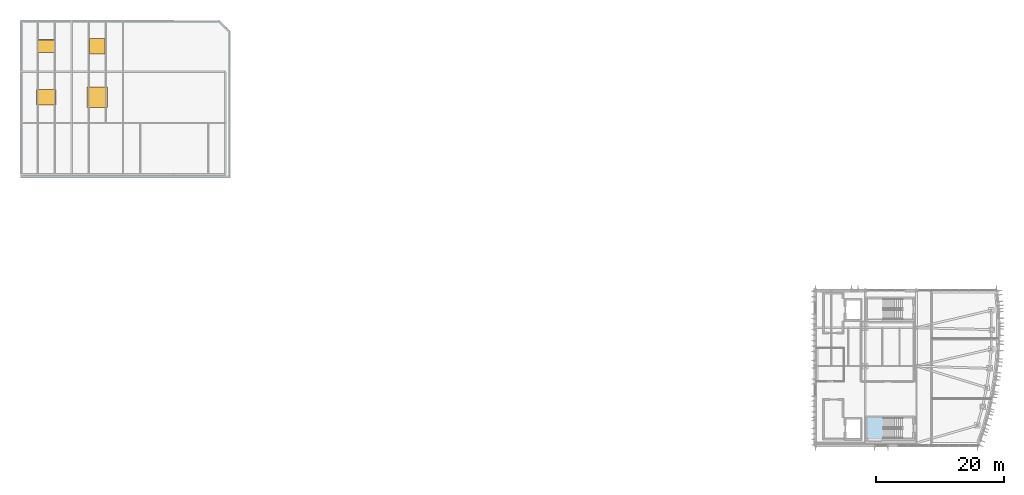
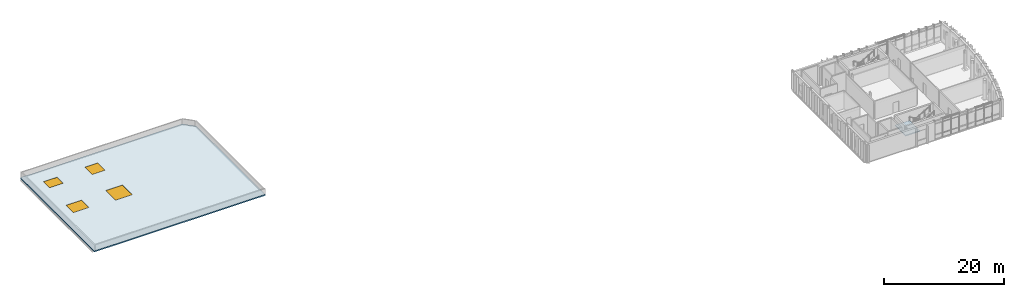
# One storey, part 5 of 14: 4 windows, 2 slabs, 4 openings, 1 element without a shape of its own.
"""IFC4 building model written with IfcOpenShell, lengths in metres."""

from ifc_helpers import new_model, si_unit, direction, frame, origin, origin_2d, place, context, subcontext, project, spatial, polyline, rectangle, outline, extrude, material, layer, layer_set, type_object, element, fill, aggregate, save


model = new_model("IFC4")

# Units and contexts
model_context = context("Model", 3, precision=1e-05, world=origin(), true_north=direction((0.0, 1.0)))
body_context = subcontext(model_context, "Body", "Model", "MODEL_VIEW")
ifc_project = project(units=[si_unit("LENGTHUNIT", "METRE"), si_unit("AREAUNIT", "SQUARE_METRE"), si_unit("VOLUMEUNIT", "CUBIC_METRE"), si_unit("PLANEANGLEUNIT", "RADIAN"), si_unit("MASSUNIT", "GRAM", prefix="KILO")], contexts=[model_context])

# Site, building, storey
site_placement = place(None, origin())
site = spatial("IfcSite", under=ifc_project, at=site_placement, CompositionType="ELEMENT")
building_placement = place(site_placement, origin())
building = spatial("IfcBuilding", under=site, at=building_placement, Name="Cymarion Research Institute", CompositionType="ELEMENT")
storey_placement = place(building_placement, frame((0.0, 0.0, 34.5)))
storey = spatial("IfcBuildingStorey", under=building, at=storey_placement, Name="L08", CompositionType="ELEMENT", Elevation=34.5)

# Stair, slab
ifc_material_1 = material(Name="Concrete C35/45", Category="concrete")
stair_type = type_object("IfcStairType", Name="REINFORCED CONCRETE DOGLEG STAIR STR-3900", PredefinedType="HALF_TURN_STAIR", material=ifc_material_1)
stair_placement = place(storey_placement, origin())
stair = element("IfcStair", 1, at=stair_placement, inside=storey, type_object=stair_type, Name="L08 Core C1 Smoke-Proof Exit Stair ST1", PredefinedType="HALF_TURN_STAIR")
ifc_layer_1 = layer(ifc_material_1, 0.199951171875)
ifc_layer_set_1 = layer_set([ifc_layer_1], Name="Concrete C35/45")
slab_type_1 = type_object("IfcSlabType", Name="REINFORCED CONCRETE STAIR LANDING LDG200", PredefinedType="LANDING", material=ifc_layer_set_1)
slab_1_placement = place(storey_placement, frame((0.0, 0.0, 1.75)))
slab_1 = element("IfcSlab", 2, at=slab_1_placement, type_object=slab_type_1, Name="ST1 landing 1", PredefinedType="LANDING", context=body_context, shape_type="SweptSolid", body=[
    extrude(outline(polyline([(149.52001953125, 9.52001953125), (149.52001953125, 6.080078125), (146.780029296875, 6.080078125), (146.780029296875, 9.52001953125), (149.52001953125, 9.52001953125)])), origin(), (0.0, 0.0, 1.0), 0.199951171875),
])
aggregate(stair, [slab_1])

# Slab, openings, windows
ifc_layer_2 = layer(ifc_material_1, 0.239990234375)
ifc_layer_set_2 = layer_set([ifc_layer_2], Name="Concrete C35/45")
slab_type_2 = type_object("IfcSlabType", Name="ROOF SLAB SL-RF240 240MM", PredefinedType="ROOF", material=ifc_layer_set_2)
slab_2_placement = place(storey_placement, frame((0.0, 0.0, -0.239990234375)))
slab_2 = element("IfcSlab", 3, at=slab_2_placement, inside=storey, type_object=slab_type_2, Name="L08 insulated flat roof deck ROOF-L08-V4", PredefinedType="ROOF", context=body_context, shape_type="SweptSolid", body=[
    extrude(outline(polyline([(14.60009765625, 46.89990234375), (47.39990234375, 46.89990234375), (47.39990234375, 69.800048828125), (45.699951171875, 71.5), (14.60009765625, 71.5), (14.60009765625, 46.89990234375)]), holes=[polyline([(17.10009765625, 58.300048828125), (17.10009765625, 60.699951171875), (20.10009765625, 60.699951171875), (20.10009765625, 58.300048828125), (17.10009765625, 58.300048828125)]), polyline([(25.0, 57.89990234375), (25.0, 61.10009765625), (28.199951171875, 61.10009765625), (28.199951171875, 57.89990234375), (25.0, 57.89990234375)]), polyline([(17.300048828125, 66.5), (17.300048828125, 68.5), (19.89990234375, 68.5), (19.89990234375, 66.5), (17.300048828125, 66.5)]), polyline([(25.39990234375, 66.300048828125), (25.39990234375, 68.699951171875), (27.800048828125, 68.699951171875), (27.800048828125, 66.300048828125), (25.39990234375, 66.300048828125)])]), origin(), (0.0, 0.0, 1.0), 0.239990234375),
])
opening_1_placement = place(slab_2_placement, frame((18.60009765625, 59.5, 0.0)))
opening_1 = element("IfcOpeningElement", 4, at=opening_1_placement, cuts=slab_2, Name="Opening SKY2", PredefinedType="OPENING", context=body_context, shape_type="SweptSolid", body=[
    extrude(rectangle(XDim=3.0, YDim=2.39990234375, at=origin_2d()), frame((0.0, 0.0, -0.010009765625)), (0.0, 0.0, 1.0), 0.260009765625),
])
opening_2_placement = place(slab_2_placement, frame((26.60009765625, 59.5, 0.0)))
opening_2 = element("IfcOpeningElement", 5, at=opening_2_placement, cuts=slab_2, Name="Opening SKY3", PredefinedType="OPENING", context=body_context, shape_type="SweptSolid", body=[
    extrude(rectangle(XDim=3.199951171875, YDim=3.199951171875, at=origin_2d()), frame((0.0, 0.0, -0.010009765625)), (0.0, 0.0, 1.0), 0.260009765625),
])
opening_3_placement = place(slab_2_placement, frame((18.60009765625, 67.5, 0.0)))
opening_3 = element("IfcOpeningElement", 6, at=opening_3_placement, cuts=slab_2, Name="Opening SKY4", PredefinedType="OPENING", context=body_context, shape_type="SweptSolid", body=[
    extrude(rectangle(XDim=2.60009765625, YDim=2.0, at=origin_2d()), frame((0.0, 0.0, -0.010009765625)), (0.0, 0.0, 1.0), 0.260009765625),
])
opening_4_placement = place(slab_2_placement, frame((26.60009765625, 67.5, 0.0)))
opening_4 = element("IfcOpeningElement", 7, at=opening_4_placement, cuts=slab_2, Name="Opening SKY1", PredefinedType="OPENING", context=body_context, shape_type="SweptSolid", body=[
    extrude(rectangle(XDim=2.39990234375, YDim=2.39990234375, at=origin_2d()), frame((0.0, 0.0, -0.010009765625)), (0.0, 0.0, 1.0), 0.260009765625),
])
ifc_material_2 = material(Name="Thermally broken aluminium skylight with laminated Low-E glass", Category="aluminium")
window_type_1 = type_object("IfcWindowType", Name="INSULATED ALUMINIUM ROOF SKYLIGHT SKY1 2400X2400", PartitioningType="SINGLE_PANEL", PredefinedType="SKYLIGHT", material=ifc_material_2)
window_1_placement = place(opening_4_placement, frame((0.0, 0.0, 0.18994140625)))
window_1 = element("IfcWindow", 8, at=window_1_placement, inside=storey, type_object=window_type_1, Name="L08 insulated roof skylight SKY1 #13", OverallHeight=2.39990234375, OverallWidth=2.39990234375, PartitioningType="SINGLE_PANEL", PredefinedType="SKYLIGHT", context=body_context, shape_type="SweptSolid", body=[
    extrude(rectangle(XDim=2.39990234375, YDim=2.39990234375, at=origin_2d()), origin(), (0.0, 0.0, 1.0), 0.050048828125),
])
fill(opening_4, window_1)
window_type_2 = type_object("IfcWindowType", Name="INSULATED ALUMINIUM ROOF SKYLIGHT SKY2 3000X2400", PartitioningType="SINGLE_PANEL", PredefinedType="SKYLIGHT", material=ifc_material_2)
window_2_placement = place(opening_1_placement, frame((0.0, 0.0, 0.18994140625)))
window_2 = element("IfcWindow", 9, at=window_2_placement, inside=storey, type_object=window_type_2, Name="L08 insulated roof skylight SKY2 #10", OverallHeight=2.39990234375, OverallWidth=3.0, PartitioningType="SINGLE_PANEL", PredefinedType="SKYLIGHT", context=body_context, shape_type="SweptSolid", body=[
    extrude(rectangle(XDim=3.0, YDim=2.39990234375, at=origin_2d()), origin(), (0.0, 0.0, 1.0), 0.050048828125),
])
fill(opening_1, window_2)
window_type_3 = type_object("IfcWindowType", Name="INSULATED ALUMINIUM ROOF SKYLIGHT SKY3 3200X3200", PartitioningType="SINGLE_PANEL", PredefinedType="SKYLIGHT", material=ifc_material_2)
window_3_placement = place(opening_2_placement, frame((0.0, 0.0, 0.18994140625)))
window_3 = element("IfcWindow", 10, at=window_3_placement, inside=storey, type_object=window_type_3, Name="L08 insulated roof skylight SKY3 #11", OverallHeight=3.199951171875, OverallWidth=3.199951171875, PartitioningType="SINGLE_PANEL", PredefinedType="SKYLIGHT", context=body_context, shape_type="SweptSolid", body=[
    extrude(rectangle(XDim=3.199951171875, YDim=3.199951171875, at=origin_2d()), origin(), (0.0, 0.0, 1.0), 0.050048828125),
])
fill(opening_2, window_3)
window_type_4 = type_object("IfcWindowType", Name="INSULATED ALUMINIUM ROOF SKYLIGHT SKY4 2600X2000", PartitioningType="SINGLE_PANEL", PredefinedType="SKYLIGHT", material=ifc_material_2)
window_4_placement = place(opening_3_placement, frame((0.0, 0.0, 0.18994140625)))
window_4 = element("IfcWindow", 11, at=window_4_placement, inside=storey, type_object=window_type_4, Name="L08 insulated roof skylight SKY4 #12", OverallHeight=2.0, OverallWidth=2.60009765625, PartitioningType="SINGLE_PANEL", PredefinedType="SKYLIGHT", context=body_context, shape_type="SweptSolid", body=[
    extrude(rectangle(XDim=2.60009765625, YDim=2.0, at=origin_2d()), origin(), (0.0, 0.0, 1.0), 0.050048828125),
])
fill(opening_3, window_4)

save(model, "model.ifc")
